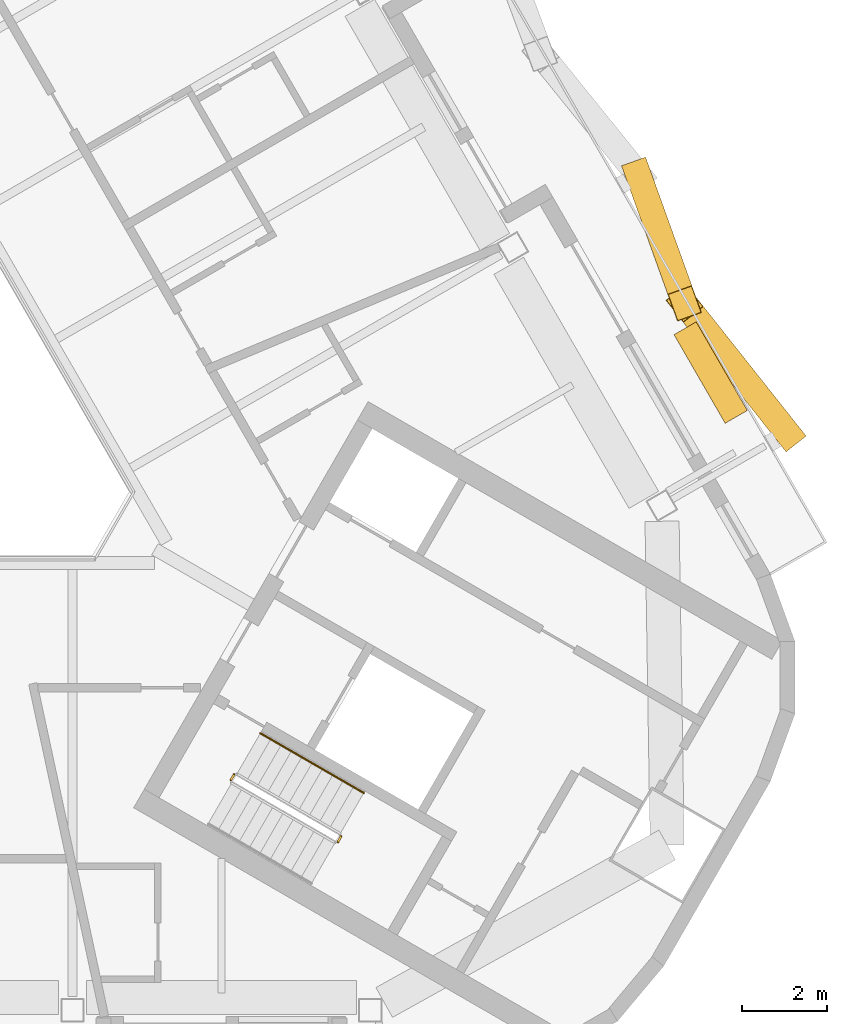
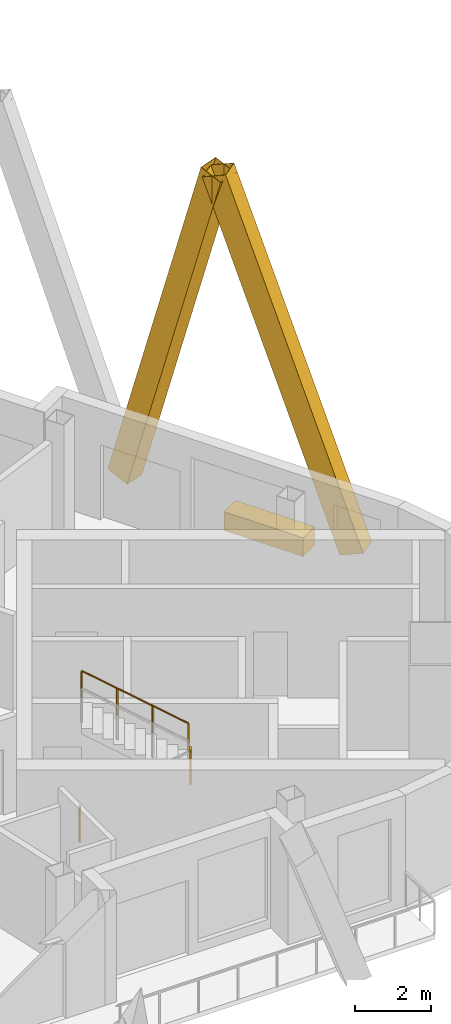
# One storey, part 10 of 12: 3 railings, 2 shading devices, 1 covering.
"""IFC4 building model written with IfcOpenShell, lengths in metres."""

from ifc_helpers import new_model, si_unit, direction, frame, origin, origin_2d, place, context, subcontext, project, spatial, rectangle, hollow_rectangle, circle, extrude, material, material_profile, profile_set, type_object, element, save


model = new_model("IFC4")

# Units and contexts
model_context = context("Model", 3, precision=1e-05, world=origin(), true_north=direction((0.0, 1.0)))
body_context = subcontext(model_context, "Body", "Model", "MODEL_VIEW")
ifc_project = project(units=[si_unit("LENGTHUNIT", "METRE"), si_unit("AREAUNIT", "SQUARE_METRE"), si_unit("VOLUMEUNIT", "CUBIC_METRE"), si_unit("PLANEANGLEUNIT", "RADIAN"), si_unit("MASSUNIT", "GRAM", prefix="KILO")], contexts=[model_context])

# Site, building, storey
site_placement = place(None, origin())
site = spatial("IfcSite", under=ifc_project, at=site_placement, CompositionType="ELEMENT")
building_placement = place(site_placement, origin())
building = spatial("IfcBuilding", under=site, at=building_placement, Name="Apuvela Tower Hotel", CompositionType="ELEMENT")
storey_placement = place(building_placement, frame((0.0, 0.0, 291.10009765625)))
storey = spatial("IfcBuildingStorey", under=building, at=storey_placement, Name="L72", CompositionType="ELEMENT", Elevation=291.10009765625)

# Railings
ifc_material_1 = material(Name="Steel S275 balustrade", Category="steel")
railing_type_1 = type_object("IfcRailingType", Name="COR-GUARD-1100", PredefinedType="GUARDRAIL", material=ifc_material_1)
for number, where, name in (
    (1, (13.212158203125, -12.015869140625, 1.849853515625), "L72 ST3 stair guard 2"),
    (2, (10.70068359375, -10.56591796875, 0.0), "L72 ST3 stair guard 4"),
):
    element("IfcRailing", number, at=place(storey_placement, frame(where)), inside=storey, type_object=railing_type_1, Name=name, PredefinedType="GUARDRAIL", context=body_context, shape_type="SweptSolid", body=[
        extrude(rectangle(XDim=0.048095703125, YDim=0.048095703125, at=origin_2d()), frame((0.0, 0.0, 1.076171875), z_axis=(0.499816412211, 0.866131372301, 0.0), x_axis=(-0.866131372301, 0.499816412211, 0.0)), (0.0, 0.0, 1.0), 0.14990234375),
        extrude(rectangle(XDim=0.0419921875, YDim=0.0419921875, at=origin_2d()), origin(), (0.0, 0.0, 1.0), 1.052001953125),
        extrude(rectangle(XDim=0.0419921875, YDim=0.0419921875, at=origin_2d()), frame((0.074951171875, 0.1298828125, 0.0)), (0.0, 0.0, 1.0), 1.052001953125),
    ])
ifc_material_2 = material(Name="Stainless steel 316 handrail", Category="steel")
railing_type_2 = type_object("IfcRailingType", Name="COR-HANDRAIL-900", PredefinedType="HANDRAIL", material=ifc_material_2)
railing_placement = place(storey_placement, frame((13.81884765625, -10.864990234375, 2.01806640625)))
element("IfcRailing", 3, at=railing_placement, inside=storey, type_object=railing_type_2, Name="L72 ST3 stair handrail 2", PredefinedType="HANDRAIL", context=body_context, shape_type="SweptSolid", body=[
    extrude(circle(Radius=0.02392578125, at=origin_2d()), frame((0.0, 0.0, 0.8759765625), z_axis=(-0.742390482028, 0.42860119049, 0.514934356695), x_axis=(-0.49998411664, -0.866034573852, 0.0)), (0.0, 0.0, 1.0), 3.26611328125),
    extrude(rectangle(XDim=0.0419921875, YDim=0.0419921875, at=origin_2d()), origin(), (0.0, 0.0, 1.0), 0.851806640625),
    extrude(rectangle(XDim=0.0419921875, YDim=0.0419921875, at=origin_2d()), frame((-0.808349609375, 0.466552734375, 0.560546875)), (0.0, 0.0, 1.0), 0.851806640625),
    extrude(rectangle(XDim=0.0419921875, YDim=0.0419921875, at=origin_2d()), frame((-1.616455078125, 0.933349609375, 1.121337890625)), (0.0, 0.0, 1.0), 0.851806640625),
    extrude(rectangle(XDim=0.0419921875, YDim=0.0419921875, at=origin_2d()), frame((-2.4248046875, 1.39990234375, 1.681884765625)), (0.0, 0.0, 1.0), 0.851806640625),
])

# Shading devices
ifc_material_3 = material(Name="Aluminium 6063-T6, black anodised", Category="aluminium")
ifc_material_profile = material_profile(ifc_material_3, hollow_rectangle(XDim=0.60009765625, YDim=0.699951171875, WallThickness=0.011962890625, at=origin_2d()), Name="AL BOX 700x600x12")
ifc_profile_set = profile_set([ifc_material_profile], Name="Aluminium 6063-T6, black anodised")
shading_device_type = type_object("IfcShadingDeviceType", Name="ENV-FIN-700x600", PredefinedType="USERDEFINED", material=ifc_profile_set)
shading_device_1_placement = place(storey_placement, frame((23.7548828125, -2.421142578125, -0.10009765625), z_axis=(-0.204899139392, 0.258407964099, 0.944055965908), x_axis=(-0.783564267431, -0.621310742548, 0.0)))
element("IfcShadingDevice", 4, at=shading_device_1_placement, inside=storey, type_object=shading_device_type, Name="Lattice fin NE657", ObjectType="FIN", PredefinedType="USERDEFINED", context=body_context, shape_type="SweptSolid", body=[
    extrude(hollow_rectangle(XDim=0.60009765625, YDim=0.699951171875, WallThickness=0.011962890625, at=origin_2d()), origin(), (0.0, 0.0, 1.0), 11.7578125),
])
shading_device_2_placement = place(storey_placement, frame((20.26123046875, 3.6298828125, -0.10009765625), z_axis=(0.093871896274, -0.260778748316, 0.960823871226), x_axis=(0.940897131448, 0.338692468225, 0.0)))
element("IfcShadingDevice", 5, at=shading_device_2_placement, inside=storey, type_object=shading_device_type, Name="Lattice fin NE658", ObjectType="FIN", PredefinedType="USERDEFINED", context=body_context, shape_type="SweptSolid", body=[
    extrude(hollow_rectangle(XDim=0.60009765625, YDim=0.699951171875, WallThickness=0.011962890625, at=origin_2d()), origin(), (0.0, 0.0, 1.0), 11.552734375),
])

# Covering
ifc_material_4 = material(Name="Planting substrate and soil, planted")
covering_type = type_object("IfcCoveringType", Name="ENV-PLANTER-2400x600", PredefinedType="USERDEFINED", material=ifc_material_4)
covering_placement = place(storey_placement, frame((21.956298828125, -1.006103515625, -0.000244140625), z_axis=(0.0, 0.0, 1.0), x_axis=(-0.5, 0.866025403784, 0.0)))
element("IfcCovering", 6, at=covering_placement, inside=storey, type_object=covering_type, Name="Planter NE3", ObjectType="PLANTER", PredefinedType="USERDEFINED", context=body_context, shape_type="SweptSolid", body=[
    extrude(rectangle(XDim=2.39990234375, YDim=0.60009765625, at=origin_2d()), origin(), (0.0, 0.0, 1.0), 0.60009765625),
])

save(model, "model.ifc")
